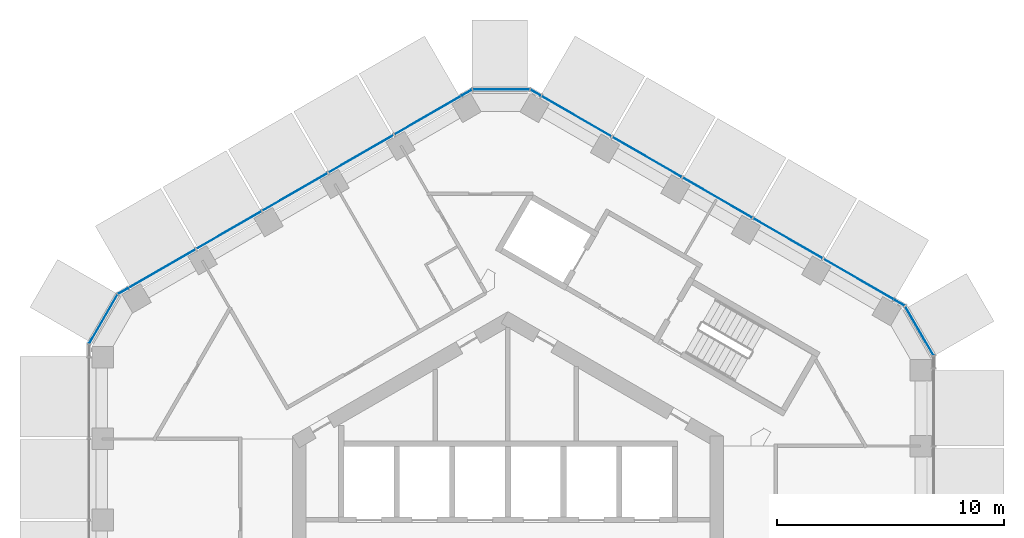
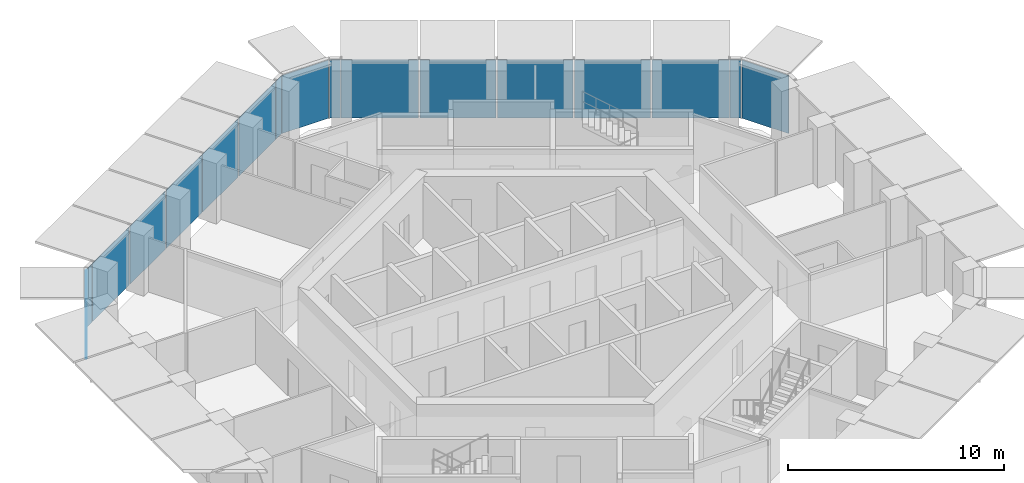
# One storey, part 12 of 18: 17 plates, 5 elements without a shape of their own.
"""IFC4 building model written with IfcOpenShell, lengths in metres."""

from ifc_helpers import new_model, si_unit, direction, frame, origin, origin_2d, place, context, subcontext, project, spatial, rectangle, extrude, material, layer, layer_set, type_object, element, aggregate, save


model = new_model("IFC4")

# Units and contexts
model_context = context("Model", 3, precision=1e-05, world=origin(), true_north=direction((0.0, 1.0)))
body_context = subcontext(model_context, "Body", "Model", "MODEL_VIEW")
ifc_project = project(units=[si_unit("LENGTHUNIT", "METRE"), si_unit("AREAUNIT", "SQUARE_METRE"), si_unit("VOLUMEUNIT", "CUBIC_METRE"), si_unit("PLANEANGLEUNIT", "RADIAN"), si_unit("MASSUNIT", "GRAM", prefix="KILO")], contexts=[model_context])

# Site, building, storey
site_placement = place(None, origin())
site = spatial("IfcSite", under=ifc_project, at=site_placement, CompositionType="ELEMENT")
building_placement = place(site_placement, origin())
building = spatial("IfcBuilding", under=site, at=building_placement, Name="Ayvan Gate Tower", CompositionType="ELEMENT")
storey_placement = place(building_placement, frame((0.0, 0.0, 169.699951171875)))
storey = spatial("IfcBuildingStorey", under=building, at=storey_placement, Name="L45", CompositionType="ELEMENT", Elevation=169.699951171875)

# Curtain wall, plates
ifc_material_1 = material(Name="Bronze anodised aluminium", Category="aluminium")
ifc_layer_1 = layer(ifc_material_1, 0.199951171875)
ifc_layer_set_1 = layer_set([ifc_layer_1], Name="Bronze anodised aluminium")
curtain_wall_type_1 = type_object("IfcCurtainWallType", Name="Stick curtain wall CW-2", PredefinedType="NOTDEFINED", material=ifc_layer_set_1)
curtain_wall_1_placement = place(storey_placement, origin())
curtain_wall_1 = element("IfcCurtainWall", 1, at=curtain_wall_1_placement, inside=storey, type_object=curtain_wall_type_1, Name="Stick curtain wall CW-2 L45", PredefinedType="NOTDEFINED")
ifc_material_2 = material(Name="Clear low-iron laminated glass", Category="glass")
ifc_layer_2 = layer(ifc_material_2, 0.028076171875)
ifc_layer_set_2 = layer_set([ifc_layer_2], Name="Clear low-iron laminated glass")
plate_type_1 = type_object("IfcPlateType", Name="Stick curtain wall CW-2 glass panel", PredefinedType="CURTAIN_PANEL", material=ifc_layer_set_2)
plate_1_placement = place(storey_placement, frame((-3.51953125, 19.632080078125, 0.0), z_axis=(0.0, 0.0, 1.0), x_axis=(-0.866025403784, -0.5, 0.0)))
plate_1 = element("IfcPlate", 2, at=plate_1_placement, type_object=plate_type_1, Name="CW-2 glass panel 1", PredefinedType="CURTAIN_PANEL", context=body_context, shape_type="SweptSolid", body=[
    extrude(rectangle(XDim=3.39599609375, YDim=0.028076171875, at=origin_2d()), origin(), (0.0, 0.0, 1.0), 3.280029296875),
])
plate_2_placement = place(storey_placement, frame((-6.473876953125, 17.92626953125, 0.0), z_axis=(0.0, 0.0, 1.0), x_axis=(-0.866025403784, -0.5, 0.0)))
plate_2 = element("IfcPlate", 3, at=plate_2_placement, type_object=plate_type_1, Name="CW-2 glass panel 2", PredefinedType="CURTAIN_PANEL", context=body_context, shape_type="SweptSolid", body=[
    extrude(rectangle(XDim=3.287109375, YDim=0.028076171875, at=origin_2d()), origin(), (0.0, 0.0, 1.0), 3.280029296875),
])
plate_3_placement = place(storey_placement, frame((-9.380859375, 16.248046875, 0.0), z_axis=(0.0, 0.0, 1.0), x_axis=(-0.866025403784, -0.5, 0.0)))
plate_3 = element("IfcPlate", 4, at=plate_3_placement, type_object=plate_type_1, Name="CW-2 glass panel 3", PredefinedType="CURTAIN_PANEL", context=body_context, shape_type="SweptSolid", body=[
    extrude(rectangle(XDim=3.285888671875, YDim=0.028076171875, at=origin_2d()), origin(), (0.0, 0.0, 1.0), 3.280029296875),
])
plate_4_placement = place(storey_placement, frame((-12.28759765625, 14.56982421875, 0.0), z_axis=(0.0, 0.0, 1.0), x_axis=(-0.866025403784, -0.5, 0.0)))
plate_4 = element("IfcPlate", 5, at=plate_4_placement, type_object=plate_type_1, Name="CW-2 glass panel 4", PredefinedType="CURTAIN_PANEL", context=body_context, shape_type="SweptSolid", body=[
    extrude(rectangle(XDim=3.287109375, YDim=0.028076171875, at=origin_2d()), origin(), (0.0, 0.0, 1.0), 3.280029296875),
])
plate_5_placement = place(storey_placement, frame((-15.241943359375, 12.864013671875, 0.0), z_axis=(0.0, 0.0, 1.0), x_axis=(-0.866025403784, -0.5, 0.0)))
plate_5 = element("IfcPlate", 6, at=plate_5_placement, type_object=plate_type_1, Name="CW-2 glass panel 5", PredefinedType="CURTAIN_PANEL", context=body_context, shape_type="SweptSolid", body=[
    extrude(rectangle(XDim=3.39599609375, YDim=0.028076171875, at=origin_2d()), origin(), (0.0, 0.0, 1.0), 3.280029296875),
])
aggregate(curtain_wall_1, [plate_1, plate_2, plate_3, plate_4, plate_5])

curtain_wall_2_placement = place(storey_placement, origin())
curtain_wall_2 = element("IfcCurtainWall", 7, at=curtain_wall_2_placement, inside=storey, type_object=curtain_wall_type_1, Name="Stick curtain wall CW-2 L45", PredefinedType="NOTDEFINED")
plate_6_placement = place(storey_placement, frame((15.462890625, 12.393798828125, 0.0), z_axis=(0.0, 0.0, 1.0), x_axis=(-0.866025403784, 0.5, 0.0)))
plate_6 = element("IfcPlate", 8, at=plate_6_placement, type_object=plate_type_1, Name="CW-2 glass panel 1", PredefinedType="CURTAIN_PANEL", context=body_context, shape_type="SweptSolid", body=[
    extrude(rectangle(XDim=3.571044921875, YDim=0.028076171875, at=origin_2d()), origin(), (0.0, 0.0, 1.0), 3.280029296875),
])
plate_7_placement = place(storey_placement, frame((12.3349609375, 14.19970703125, 0.0), z_axis=(0.0, 0.0, 1.0), x_axis=(-0.866025403784, 0.5, 0.0)))
plate_7 = element("IfcPlate", 9, at=plate_7_placement, type_object=plate_type_1, Name="CW-2 glass panel 2", PredefinedType="CURTAIN_PANEL", context=body_context, shape_type="SweptSolid", body=[
    extrude(rectangle(XDim=3.512939453125, YDim=0.028076171875, at=origin_2d()), origin(), (0.0, 0.0, 1.0), 3.280029296875),
])
plate_8_placement = place(storey_placement, frame((9.232421875, 15.990966796875, 0.0), z_axis=(0.0, 0.0, 1.0), x_axis=(-0.866025403784, 0.5, 0.0)))
plate_8 = element("IfcPlate", 10, at=plate_8_placement, type_object=plate_type_1, Name="CW-2 glass panel 3", PredefinedType="CURTAIN_PANEL", context=body_context, shape_type="SweptSolid", body=[
    extrude(rectangle(XDim=3.511962890625, YDim=0.028076171875, at=origin_2d()), origin(), (0.0, 0.0, 1.0), 3.280029296875),
])
plate_9_placement = place(storey_placement, frame((6.1298828125, 17.7822265625, 0.0), z_axis=(0.0, 0.0, 1.0), x_axis=(-0.866025403784, 0.5, 0.0)))
plate_9 = element("IfcPlate", 11, at=plate_9_placement, type_object=plate_type_1, Name="CW-2 glass panel 4", PredefinedType="CURTAIN_PANEL", context=body_context, shape_type="SweptSolid", body=[
    extrude(rectangle(XDim=3.512939453125, YDim=0.028076171875, at=origin_2d()), origin(), (0.0, 0.0, 1.0), 3.280029296875),
])
plate_10_placement = place(storey_placement, frame((3.001708984375, 19.588134765625, 0.0), z_axis=(0.0, 0.0, 1.0), x_axis=(-0.866025403784, 0.5, 0.0)))
plate_10 = element("IfcPlate", 12, at=plate_10_placement, type_object=plate_type_1, Name="CW-2 glass panel 5", PredefinedType="CURTAIN_PANEL", context=body_context, shape_type="SweptSolid", body=[
    extrude(rectangle(XDim=3.571044921875, YDim=0.028076171875, at=origin_2d()), origin(), (0.0, 0.0, 1.0), 3.280029296875),
])
aggregate(curtain_wall_2, [plate_6, plate_7, plate_8, plate_9, plate_10])

ifc_layer_3 = layer(ifc_material_1, 0.199951171875)
ifc_layer_set_3 = layer_set([ifc_layer_3], Name="Bronze anodised aluminium")
curtain_wall_type_2 = type_object("IfcCurtainWallType", Name="Stick curtain wall CW-6", PredefinedType="NOTDEFINED", material=ifc_layer_set_3)
curtain_wall_3_placement = place(storey_placement, origin())
curtain_wall_3 = element("IfcCurtainWall", 13, at=curtain_wall_3_placement, inside=storey, type_object=curtain_wall_type_2, Name="Stick curtain wall CW-6 L45", PredefinedType="NOTDEFINED")
ifc_layer_4 = layer(ifc_material_2, 0.028076171875)
ifc_layer_set_4 = layer_set([ifc_layer_4], Name="Clear low-iron laminated glass")
plate_type_2 = type_object("IfcPlateType", Name="Stick curtain wall CW-6 glass panel", PredefinedType="CURTAIN_PANEL", material=ifc_layer_set_4)
plate_11_placement = place(storey_placement, frame((-16.95947265625, 11.87255859375, 0.0), z_axis=(0.0, 0.0, 1.0), x_axis=(-0.866025403784, -0.5, 0.0)))
plate_11 = element("IfcPlate", 14, at=plate_11_placement, type_object=plate_type_2, Name="CW-6 glass panel 1", PredefinedType="CURTAIN_PANEL", context=body_context, shape_type="SweptSolid", body=[
    extrude(rectangle(XDim=0.5, YDim=0.028076171875, at=origin_2d()), origin(), (0.0, 0.0, 1.0), 3.280029296875),
])
plate_12_placement = place(storey_placement, frame((-17.8310546875, 10.637451171875, 0.0), z_axis=(0.0, 0.0, 1.0), x_axis=(-0.5, -0.866025403784, 0.0)))
plate_12 = element("IfcPlate", 15, at=plate_12_placement, type_object=plate_type_2, Name="CW-6 glass panel 2", PredefinedType="CURTAIN_PANEL", context=body_context, shape_type="SweptSolid", body=[
    extrude(rectangle(XDim=2.484619140625, YDim=0.028076171875, at=origin_2d()), origin(), (0.0, 0.0, 1.0), 3.280029296875),
])
aggregate(curtain_wall_3, [plate_11, plate_12])

curtain_wall_4_placement = place(storey_placement, origin())
curtain_wall_4 = element("IfcCurtainWall", 16, at=curtain_wall_4_placement, inside=storey, type_object=curtain_wall_type_2, Name="Stick curtain wall CW-6 L45", PredefinedType="NOTDEFINED")
plate_13_placement = place(storey_placement, frame((18.1279296875, 10.12353515625, 0.0), z_axis=(0.0, 0.0, 1.0), x_axis=(-0.5, 0.866025403784, 0.0)))
plate_13 = element("IfcPlate", 17, at=plate_13_placement, type_object=plate_type_2, Name="CW-6 glass panel 2", PredefinedType="CURTAIN_PANEL", context=body_context, shape_type="SweptSolid", body=[
    extrude(rectangle(XDim=2.484619140625, YDim=0.028076171875, at=origin_2d()), origin(), (0.0, 0.0, 1.0), 3.280029296875),
])
plate_14_placement = place(storey_placement, frame((17.256103515625, 11.3583984375, 0.0), z_axis=(0.0, 0.0, 1.0), x_axis=(-0.866025403784, 0.5, 0.0)))
plate_14 = element("IfcPlate", 18, at=plate_14_placement, type_object=plate_type_2, Name="CW-6 glass panel 3", PredefinedType="CURTAIN_PANEL", context=body_context, shape_type="SweptSolid", body=[
    extrude(rectangle(XDim=0.5, YDim=0.028076171875, at=origin_2d()), origin(), (0.0, 0.0, 1.0), 3.280029296875),
])
aggregate(curtain_wall_4, [plate_13, plate_14])

curtain_wall_5_placement = place(storey_placement, origin())
curtain_wall_5 = element("IfcCurtainWall", 19, at=curtain_wall_5_placement, inside=storey, type_object=curtain_wall_type_2, Name="Stick curtain wall CW-6 L45", PredefinedType="NOTDEFINED")
plate_15_placement = place(storey_placement, frame((1.208740234375, 20.62353515625, 0.0), z_axis=(0.0, 0.0, 1.0), x_axis=(-0.866025403784, 0.5, 0.0)))
plate_15 = element("IfcPlate", 20, at=plate_15_placement, type_object=plate_type_2, Name="CW-6 glass panel 1", PredefinedType="CURTAIN_PANEL", context=body_context, shape_type="SweptSolid", body=[
    extrude(rectangle(XDim=0.5, YDim=0.028076171875, at=origin_2d()), origin(), (0.0, 0.0, 1.0), 3.280029296875),
])
plate_16_placement = place(storey_placement, frame((-0.296630859375, 20.760986328125, 0.0), z_axis=(0.0, 0.0, 1.0), x_axis=(-1.0, 0.0, 0.0)))
plate_16 = element("IfcPlate", 21, at=plate_16_placement, type_object=plate_type_2, Name="CW-6 glass panel 2", PredefinedType="CURTAIN_PANEL", context=body_context, shape_type="SweptSolid", body=[
    extrude(rectangle(XDim=2.484619140625, YDim=0.028076171875, at=origin_2d()), origin(), (0.0, 0.0, 1.0), 3.280029296875),
])
plate_17_placement = place(storey_placement, frame((-1.80224609375, 20.62353515625, 0.0), z_axis=(0.0, 0.0, 1.0), x_axis=(-0.866025403784, -0.5, 0.0)))
plate_17 = element("IfcPlate", 22, at=plate_17_placement, type_object=plate_type_2, Name="CW-6 glass panel 3", PredefinedType="CURTAIN_PANEL", context=body_context, shape_type="SweptSolid", body=[
    extrude(rectangle(XDim=0.5, YDim=0.028076171875, at=origin_2d()), origin(), (0.0, 0.0, 1.0), 3.280029296875),
])
aggregate(curtain_wall_5, [plate_15, plate_16, plate_17])

save(model, "model.ifc")
